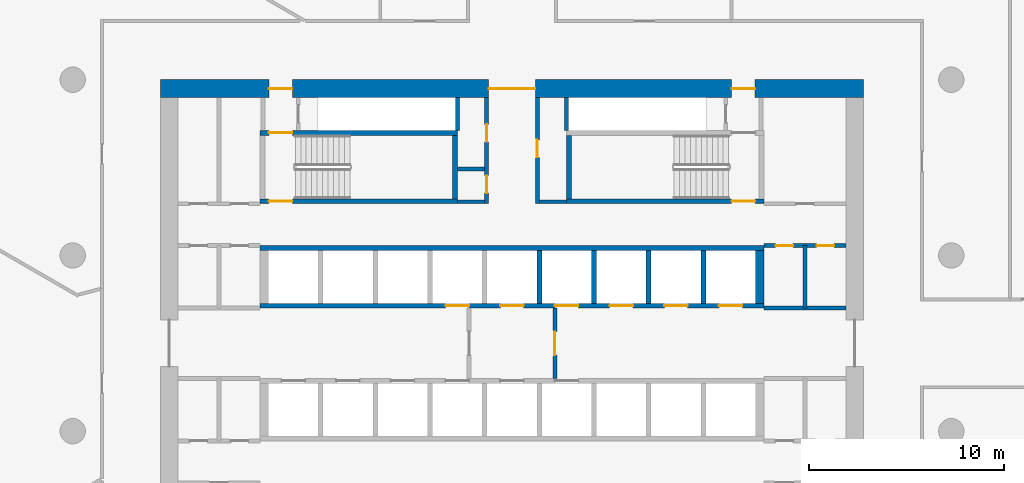
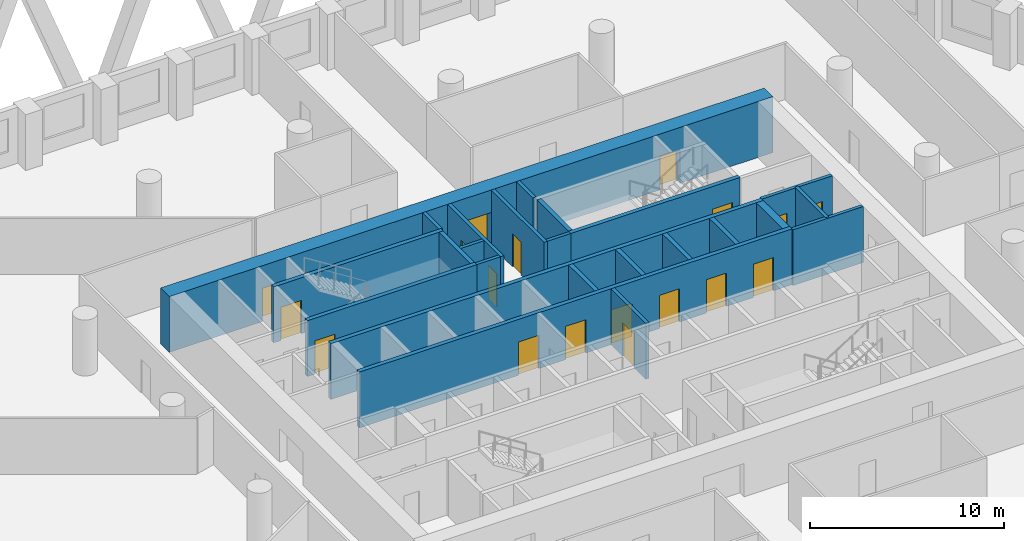
# One storey, part 6 of 18: 24 walls, 18 doors, 18 openings.
"""IFC4 building model written with IfcOpenShell, lengths in metres."""

from ifc_helpers import new_model, si_unit, direction, frame, frame_2d, origin, place, context, subcontext, project, spatial, polyline, rectangle, outline, extrude, material, layer, layer_set, type_object, element, fill, save


model = new_model("IFC4")

# Units and contexts
model_context = context("Model", 3, precision=1e-05, world=origin(), true_north=direction((0.0, 1.0)))
body_context = subcontext(model_context, "Body", "Model", "MODEL_VIEW")
ifc_project = project(units=[si_unit("LENGTHUNIT", "METRE"), si_unit("AREAUNIT", "SQUARE_METRE"), si_unit("VOLUMEUNIT", "CUBIC_METRE"), si_unit("PLANEANGLEUNIT", "RADIAN"), si_unit("MASSUNIT", "GRAM", prefix="KILO")], contexts=[model_context])

# Site, building, storey
site_placement = place(None, origin())
site = spatial("IfcSite", under=ifc_project, at=site_placement, CompositionType="ELEMENT")
building_placement = place(site_placement, origin())
building = spatial("IfcBuilding", under=site, at=building_placement, Name="Dhurran Vertical Campus", CompositionType="ELEMENT")
storey_placement = place(building_placement, frame((0.0, 0.0, 81.300048828125)))
storey = spatial("IfcBuildingStorey", under=building, at=storey_placement, Name="L19", CompositionType="ELEMENT", Elevation=81.300048828125)

# Wall, openings, doors
ifc_material_1 = material(Name="Concrete C60/75", Category="concrete")
ifc_layer_1 = layer(ifc_material_1, 0.89990234375)
ifc_layer_set_1 = layer_set([ifc_layer_1], Name="Concrete C60/75")
wall_type_1 = type_object("IfcWallType", Name="co-CORE-WALL-C0-900", PredefinedType="SHEAR", material=ifc_layer_set_1)
wall_1_placement = place(storey_placement, frame((-18.0, 13.050048828125, 0.0), z_axis=(0.0, 0.0, 1.0), x_axis=(1.0, 0.0, 0.0)))
wall_1 = element("IfcWall", 1, at=wall_1_placement, inside=storey, type_object=wall_type_1, Name="Core wall N L19", PredefinedType="SHEAR", context=body_context, shape_type="SweptSolid", body=[
    extrude(rectangle(XDim=36.0, YDim=0.89990234375, at=frame_2d((18.0, 0.0))), origin(), (0.0, 0.0, 1.0), 3.52490234375),
])
opening_1_placement = place(wall_1_placement, frame((16.800048828125, 0.0, 0.0)))
opening_1 = element("IfcOpeningElement", 2, at=opening_1_placement, cuts=wall_1, Name="Opening CV1", PredefinedType="OPENING", context=body_context, shape_type="SweptSolid", body=[
    extrude(rectangle(XDim=2.39990234375, YDim=2.10009765625, at=frame_2d((1.199951171875, 1.050048828125))), frame((0.0, 0.4599609375, 0.0), z_axis=(0.0, -1.0, 0.0), x_axis=(1.0, 0.0, 0.0)), (0.0, 0.0, 1.0), 0.919921875),
])
opening_2_placement = place(wall_1_placement, frame((5.550048828125, 0.0, 0.0)))
opening_2 = element("IfcOpeningElement", 3, at=opening_2_placement, cuts=wall_1, Name="Opening XD1", PredefinedType="OPENING", context=body_context, shape_type="SweptSolid", body=[
    extrude(rectangle(XDim=1.199951171875, YDim=2.10009765625, at=frame_2d((0.60009765625, 1.050048828125))), frame((0.0, 0.4599609375, 0.0), z_axis=(0.0, -1.0, 0.0), x_axis=(1.0, 0.0, 0.0)), (0.0, 0.0, 1.0), 0.919921875),
])
opening_3_placement = place(wall_1_placement, frame((29.25, 0.0, 0.0)))
opening_3 = element("IfcOpeningElement", 4, at=opening_3_placement, cuts=wall_1, Name="Opening XD2", PredefinedType="OPENING", context=body_context, shape_type="SweptSolid", body=[
    extrude(rectangle(XDim=1.199951171875, YDim=2.10009765625, at=frame_2d((0.60009765625, 1.050048828125))), frame((0.0, 0.4599609375, 0.0), z_axis=(0.0, -1.0, 0.0), x_axis=(1.0, 0.0, 0.0)), (0.0, 0.0, 1.0), 0.919921875),
])
ifc_material_2 = material(Name="Fire-rated glazed door set")
door_type_1 = type_object("IfcDoorType", Name="co-D-LOBBY 2400x2100", OperationType="DOUBLE_DOOR_DOUBLE_SWING", PredefinedType="DOOR", material=ifc_material_2)
door_1_placement = place(opening_1_placement, origin())
door_1 = element("IfcDoor", 5, at=door_1_placement, inside=storey, type_object=door_type_1, Name="Core vestibule door N L19", OperationType="DOUBLE_DOOR_DOUBLE_SWING", OverallHeight=2.10009765625, OverallWidth=2.39990234375, PredefinedType="DOOR", context=body_context, shape_type="SweptSolid", body=[
    extrude(rectangle(XDim=2.39990234375, YDim=2.10009765625, at=frame_2d((1.199951171875, 1.050048828125))), frame((0.0, 0.02490234375, 0.0), z_axis=(0.0, -1.0, 0.0), x_axis=(1.0, 0.0, 0.0)), (0.0, 0.0, 1.0), 0.050048828125),
])
fill(opening_1, door_1)
ifc_material_3 = material(Name="Fire-rated steel door set", Category="steel")
door_type_2 = type_object("IfcDoorType", Name="co-D-STAIR-EXIT 1200x2100", OperationType="SINGLE_SWING_RIGHT", PredefinedType="DOOR", material=ifc_material_3)
door_2_placement = place(opening_2_placement, origin())
door_2 = element("IfcDoor", 6, at=door_2_placement, inside=storey, type_object=door_type_2, Name="Stair ST1 exit door L19", OperationType="SINGLE_SWING_RIGHT", OverallHeight=2.10009765625, OverallWidth=1.199951171875, PredefinedType="DOOR", context=body_context, shape_type="SweptSolid", body=[
    extrude(rectangle(XDim=1.199951171875, YDim=2.10009765625, at=frame_2d((0.60009765625, 1.050048828125))), frame((0.0, 0.02490234375, 0.0), z_axis=(0.0, -1.0, 0.0), x_axis=(1.0, 0.0, 0.0)), (0.0, 0.0, 1.0), 0.050048828125),
])
fill(opening_2, door_2)
door_3_placement = place(opening_3_placement, origin())
door_3 = element("IfcDoor", 7, at=door_3_placement, inside=storey, type_object=door_type_2, Name="Stair ST2 exit door L19", OperationType="SINGLE_SWING_RIGHT", OverallHeight=2.10009765625, OverallWidth=1.199951171875, PredefinedType="DOOR", context=body_context, shape_type="SweptSolid", body=[
    extrude(rectangle(XDim=1.199951171875, YDim=2.10009765625, at=frame_2d((0.60009765625, 1.050048828125))), frame((0.0, 0.02490234375, 0.0), z_axis=(0.0, -1.0, 0.0), x_axis=(1.0, 0.0, 0.0)), (0.0, 0.0, 1.0), 0.050048828125),
])
fill(opening_3, door_3)

# Wall, opening, door
ifc_material_4 = material(Name="Fire-rated masonry blockwork", Category="masonry")
ifc_layer_2 = layer(ifc_material_4, 0.199951171875)
ifc_layer_set_2 = layer_set([ifc_layer_2], Name="Fire-rated masonry blockwork")
wall_type_2 = type_object("IfcWallType", Name="co-FIRE-PARTITION-200", PredefinedType="PARTITIONING", material=ifc_layer_set_2)
wall_2_placement = place(storey_placement, frame((2.199951171875, -1.800048828125, 0.0), z_axis=(0.0, 0.0, 1.0), x_axis=(0.0, 1.0, 0.0)))
wall_2 = element("IfcWall", 8, at=wall_2_placement, inside=storey, type_object=wall_type_2, Name="Firefighting lobby wall E L19", PredefinedType="PARTITIONING", context=body_context, shape_type="SweptSolid", body=[
    extrude(rectangle(XDim=3.60009765625, YDim=0.199951171875, at=frame_2d((1.800048828125, 0.0))), origin(), (0.0, 0.0, 1.0), 3.52490234375),
])
opening_4_placement = place(wall_2_placement, frame((1.199951171875, 0.0, 0.0)))
opening_4 = element("IfcOpeningElement", 9, at=opening_4_placement, cuts=wall_2, Name="Opening FL2", PredefinedType="OPENING", context=body_context, shape_type="SweptSolid", body=[
    extrude(rectangle(XDim=1.199951171875, YDim=2.10009765625, at=frame_2d((0.60009765625, 1.050048828125))), frame((0.0, 0.10986328125, 0.0), z_axis=(0.0, -1.0, 0.0), x_axis=(1.0, 0.0, 0.0)), (0.0, 0.0, 1.0), 0.219970703125),
])
ifc_material_5 = material(Name="Fire-rated steel door set", Category="steel")
door_type_3 = type_object("IfcDoorType", Name="co-D-FFLOBBY 1200x2100", OperationType="SINGLE_SWING_LEFT", PredefinedType="DOOR", material=ifc_material_5)
door_4_placement = place(opening_4_placement, origin())
door_4 = element("IfcDoor", 10, at=door_4_placement, inside=storey, type_object=door_type_3, Name="Firefighting lobby door E L19", OperationType="SINGLE_SWING_LEFT", OverallHeight=2.10009765625, OverallWidth=1.199951171875, PredefinedType="DOOR", context=body_context, shape_type="SweptSolid", body=[
    extrude(rectangle(XDim=1.199951171875, YDim=2.10009765625, at=frame_2d((0.60009765625, 1.050048828125))), frame((0.0, 0.02490234375, 0.0), z_axis=(0.0, -1.0, 0.0), x_axis=(1.0, 0.0, 0.0)), (0.0, 0.0, 1.0), 0.050048828125),
])
fill(opening_4, door_4)

# Walls
for number, where, z_axis, x_axis, name in (
    (11, (-2.800048828125, 7.25, 0.0), (0.0, 0.0, 1.0), (1.0, 0.0, 0.0), "Core partition sl-NW-S L19"),
    (12, (-2.800048828125, 8.925048828125, 0.0), (0.0, 0.0, 1.0), (1.0, 0.0, 0.0), "Core partition sl-NW-cut0 L19"),
    (13, (1.39990234375, 7.25, 0.0), (0.0, 0.0, 1.0), (1.0, 0.0, 0.0), "Core partition sl-NE-S L19"),
):
    element("IfcWall", number, at=place(storey_placement, frame(where, z_axis=z_axis, x_axis=x_axis)), inside=storey, type_object=wall_type_2, Name=name, PredefinedType="PARTITIONING", context=body_context, shape_type="SweptSolid", body=[
        extrude(rectangle(XDim=1.400146484375, YDim=0.199951171875, at=frame_2d((0.7001953125, 0.0))), origin(), (0.0, 0.0, 1.0), 3.52490234375),
    ])

# Wall, openings, doors
wall_3_placement = place(storey_placement, frame((-1.300048828125, 7.14990234375, 0.0), z_axis=(0.0, 0.0, 1.0), x_axis=(0.0, 1.0, 0.0)))
wall_3 = element("IfcWall", 14, at=wall_3_placement, inside=storey, type_object=wall_type_2, Name="Core partition vest-NW L19", PredefinedType="PARTITIONING", context=body_context, shape_type="SweptSolid", body=[
    extrude(rectangle(XDim=5.4501953125, YDim=0.199951171875, at=frame_2d((2.72509765625, 0.0))), origin(), (0.0, 0.0, 1.0), 3.52490234375),
])
opening_5_placement = place(wall_3_placement, frame((0.53759765625, 0.0, 0.0)))
opening_5 = element("IfcOpeningElement", 15, at=opening_5_placement, cuts=wall_3, Name="Opening T05-C5", PredefinedType="OPENING", context=body_context, shape_type="SweptSolid", body=[
    extrude(rectangle(XDim=0.89990234375, YDim=2.10009765625, at=frame_2d((0.449951171875, 1.050048828125))), frame((0.0, 0.10986328125, 0.0), z_axis=(0.0, -1.0, 0.0), x_axis=(1.0, 0.0, 0.0)), (0.0, 0.0, 1.0), 0.219970703125),
])
opening_6_placement = place(wall_3_placement, frame((3.16259765625, 0.0, 0.0)))
opening_6 = element("IfcOpeningElement", 16, at=opening_6_placement, cuts=wall_3, Name="Opening T05-C6", PredefinedType="OPENING", context=body_context, shape_type="SweptSolid", body=[
    extrude(rectangle(XDim=0.89990234375, YDim=2.10009765625, at=frame_2d((0.449951171875, 1.050048828125))), frame((0.0, 0.10986328125, 0.0), z_axis=(0.0, -1.0, 0.0), x_axis=(1.0, 0.0, 0.0)), (0.0, 0.0, 1.0), 0.219970703125),
])
ifc_material_6 = material(Name="Fire-rated timber door set", Category="wood")
door_type_4 = type_object("IfcDoorType", Name="co-D-ROOM 900x2100", OperationType="SINGLE_SWING_LEFT", PredefinedType="DOOR", material=ifc_material_6)
door_5_placement = place(opening_5_placement, origin())
door_5 = element("IfcDoor", 17, at=door_5_placement, inside=storey, type_object=door_type_4, Name="Housekeeping store door L19", OperationType="SINGLE_SWING_LEFT", OverallHeight=2.10009765625, OverallWidth=0.89990234375, PredefinedType="DOOR", context=body_context, shape_type="SweptSolid", body=[
    extrude(rectangle(XDim=0.89990234375, YDim=2.10009765625, at=frame_2d((0.449951171875, 1.050048828125))), frame((0.0, 0.02490234375, 0.0), z_axis=(0.0, -1.0, 0.0), x_axis=(1.0, 0.0, 0.0)), (0.0, 0.0, 1.0), 0.050048828125),
])
fill(opening_5, door_5)
door_6_placement = place(opening_6_placement, origin())
door_6 = element("IfcDoor", 18, at=door_6_placement, inside=storey, type_object=door_type_4, Name="Print room door L19", OperationType="SINGLE_SWING_LEFT", OverallHeight=2.10009765625, OverallWidth=0.89990234375, PredefinedType="DOOR", context=body_context, shape_type="SweptSolid", body=[
    extrude(rectangle(XDim=0.89990234375, YDim=2.10009765625, at=frame_2d((0.449951171875, 1.050048828125))), frame((0.0, 0.02490234375, 0.0), z_axis=(0.0, -1.0, 0.0), x_axis=(1.0, 0.0, 0.0)), (0.0, 0.0, 1.0), 0.050048828125),
])
fill(opening_6, door_6)

# Wall, opening, door
wall_4_placement = place(storey_placement, frame((1.300048828125, 7.14990234375, 0.0), z_axis=(0.0, 0.0, 1.0), x_axis=(0.0, 1.0, 0.0)))
wall_4 = element("IfcWall", 19, at=wall_4_placement, inside=storey, type_object=wall_type_2, Name="Core partition vest-NE L19", PredefinedType="PARTITIONING", context=body_context, shape_type="SweptSolid", body=[
    extrude(rectangle(XDim=5.4501953125, YDim=0.199951171875, at=frame_2d((2.72509765625, 0.0))), origin(), (0.0, 0.0, 1.0), 3.52490234375),
])
opening_7_placement = place(wall_4_placement, frame((2.375, 0.0, 0.0)))
opening_7 = element("IfcOpeningElement", 20, at=opening_7_placement, cuts=wall_4, Name="Opening T05-C7", PredefinedType="OPENING", context=body_context, shape_type="SweptSolid", body=[
    extrude(rectangle(XDim=0.89990234375, YDim=2.10009765625, at=frame_2d((0.449951171875, 1.050048828125))), frame((0.0, 0.10986328125, 0.0), z_axis=(0.0, -1.0, 0.0), x_axis=(1.0, 0.0, 0.0)), (0.0, 0.0, 1.0), 0.219970703125),
])
door_7_placement = place(opening_7_placement, origin())
door_7 = element("IfcDoor", 21, at=door_7_placement, inside=storey, type_object=door_type_4, Name="Cleaner's store door L19", OperationType="SINGLE_SWING_LEFT", OverallHeight=2.10009765625, OverallWidth=0.89990234375, PredefinedType="DOOR", context=body_context, shape_type="SweptSolid", body=[
    extrude(rectangle(XDim=0.89990234375, YDim=2.10009765625, at=frame_2d((0.449951171875, 1.050048828125))), frame((0.0, 0.02490234375, 0.0), z_axis=(0.0, -1.0, 0.0), x_axis=(1.0, 0.0, 0.0)), (0.0, 0.0, 1.0), 0.050048828125),
])
fill(opening_7, door_7)

# Wall
wall_5_placement = place(storey_placement, frame((15.0, 1.800048828125, 0.0), z_axis=(0.0, 0.0, 1.0), x_axis=(0.0, 1.0, 0.0)))
element("IfcWall", 22, at=wall_5_placement, inside=storey, type_object=wall_type_2, Name="Core partition es-NE-cut0 L19", PredefinedType="PARTITIONING", context=body_context, shape_type="SweptSolid", body=[
    extrude(rectangle(XDim=3.199951171875, YDim=0.199951171875, at=frame_2d((1.60009765625, 0.0))), origin(), (0.0, 0.0, 1.0), 3.52490234375),
])

# Wall, openings, doors
wall_6_placement = place(storey_placement, frame((12.89990234375, 5.0, 0.0), z_axis=(0.0, 0.0, 1.0), x_axis=(1.0, 0.0, 0.0)))
wall_6 = element("IfcWall", 23, at=wall_6_placement, inside=storey, type_object=wall_type_2, Name="Core partition es-NE-w L19", PredefinedType="PARTITIONING", context=body_context, shape_type="SweptSolid", body=[
    extrude(rectangle(XDim=4.2001953125, YDim=0.199951171875, at=frame_2d((2.10009765625, 0.0))), origin(), (0.0, 0.0, 1.0), 3.52490234375),
])
opening_8_placement = place(wall_6_placement, frame((0.60009765625, 0.0, 0.0)))
opening_8 = element("IfcOpeningElement", 24, at=opening_8_placement, cuts=wall_6, Name="Opening T05-C17", PredefinedType="OPENING", context=body_context, shape_type="SweptSolid", body=[
    extrude(rectangle(XDim=0.89990234375, YDim=2.10009765625, at=frame_2d((0.449951171875, 1.050048828125))), frame((0.0, 0.10986328125, 0.0), z_axis=(0.0, -1.0, 0.0), x_axis=(1.0, 0.0, 0.0)), (0.0, 0.0, 1.0), 0.219970703125),
])
opening_9_placement = place(wall_6_placement, frame((2.699951171875, 0.0, 0.0)))
opening_9 = element("IfcOpeningElement", 25, at=opening_9_placement, cuts=wall_6, Name="Opening T05-C18", PredefinedType="OPENING", context=body_context, shape_type="SweptSolid", body=[
    extrude(rectangle(XDim=0.89990234375, YDim=2.10009765625, at=frame_2d((0.449951171875, 1.050048828125))), frame((0.0, 0.10986328125, 0.0), z_axis=(0.0, -1.0, 0.0), x_axis=(1.0, 0.0, 0.0)), (0.0, 0.0, 1.0), 0.219970703125),
])
door_8_placement = place(opening_8_placement, origin())
door_8 = element("IfcDoor", 26, at=door_8_placement, inside=storey, type_object=door_type_4, Name="Server room door L19", OperationType="SINGLE_SWING_LEFT", OverallHeight=2.10009765625, OverallWidth=0.89990234375, PredefinedType="DOOR", context=body_context, shape_type="SweptSolid", body=[
    extrude(rectangle(XDim=0.89990234375, YDim=2.10009765625, at=frame_2d((0.449951171875, 1.050048828125))), frame((0.0, 0.02490234375, 0.0), z_axis=(0.0, -1.0, 0.0), x_axis=(1.0, 0.0, 0.0)), (0.0, 0.0, 1.0), 0.050048828125),
])
fill(opening_8, door_8)
door_9_placement = place(opening_9_placement, origin())
door_9 = element("IfcDoor", 27, at=door_9_placement, inside=storey, type_object=door_type_4, Name="Housekeeping store door L19", OperationType="SINGLE_SWING_LEFT", OverallHeight=2.10009765625, OverallWidth=0.89990234375, PredefinedType="DOOR", context=body_context, shape_type="SweptSolid", body=[
    extrude(rectangle(XDim=0.89990234375, YDim=2.10009765625, at=frame_2d((0.449951171875, 1.050048828125))), frame((0.0, 0.02490234375, 0.0), z_axis=(0.0, -1.0, 0.0), x_axis=(1.0, 0.0, 0.0)), (0.0, 0.0, 1.0), 0.050048828125),
])
fill(opening_9, door_9)

# Walls
wall_7_placement = place(storey_placement, frame((12.89990234375, 1.800048828125, 0.0), z_axis=(0.0, 0.0, 1.0), x_axis=(1.0, 0.0, 0.0)))
element("IfcWall", 28, at=wall_7_placement, inside=storey, type_object=wall_type_2, Name="Core partition es-NE-l L19", PredefinedType="PARTITIONING", context=body_context, shape_type="SweptSolid", body=[
    extrude(rectangle(XDim=4.2001953125, YDim=0.199951171875, at=frame_2d((2.10009765625, 0.0))), origin(), (0.0, 0.0, 1.0), 3.52490234375),
])
for number, where, z_axis, x_axis, name in (
    (29, (-2.800048828125, 10.90087890625, 0.0), (0.0, 0.0, 1.0), (0.0, 1.0, 0.0), "Riser enclosure wall L19"),
    (30, (2.800048828125, 12.59912109375, 0.0), (0.0, 0.0, 1.0), (0.0, -1.0, 0.0), "Riser enclosure wall L19"),
):
    element("IfcWall", number, at=place(storey_placement, frame(where, z_axis=z_axis, x_axis=x_axis)), inside=storey, type_object=wall_type_2, Name=name, PredefinedType="PARTITIONING", context=body_context, shape_type="SweptSolid", body=[
        extrude(rectangle(XDim=1.6982421875, YDim=0.199951171875, at=frame_2d((0.84912109375, 0.0))), origin(), (0.0, 0.0, 1.0), 3.52490234375),
    ])

# Wall, openings, doors
ifc_material_7 = material(Name="Concrete C50/60", Category="concrete")
ifc_layer_3 = layer(ifc_material_7, 0.25)
ifc_layer_set_3 = layer_set([ifc_layer_3], Name="Concrete C50/60")
wall_type_3 = type_object("IfcWallType", Name="co-SHAFT-FRONT-250", PredefinedType="SHEAR", material=ifc_layer_set_3)
wall_8_placement = place(storey_placement, frame((-12.89990234375, 1.925048828125, 0.0), z_axis=(0.0, 0.0, 1.0), x_axis=(1.0, 0.0, 0.0)))
wall_8 = element("IfcWall", 31, at=wall_8_placement, inside=storey, type_object=wall_type_3, Name="Lift landing wall N L19", PredefinedType="SHEAR", context=body_context, shape_type="SweptSolid", body=[
    extrude(rectangle(XDim=25.7998046875, YDim=0.25, at=frame_2d((12.89990234375, 0.0))), origin(), (0.0, 0.0, 1.0), 3.52490234375),
])
opening_10_placement = place(wall_8_placement, frame((9.5, 0.0, 0.0)))
opening_10 = element("IfcOpeningElement", 32, at=opening_10_placement, cuts=wall_8, Name="Opening LD", PredefinedType="OPENING", context=body_context, shape_type="SweptSolid", body=[
    extrude(rectangle(XDim=1.199951171875, YDim=2.10009765625, at=frame_2d((0.60009765625, 1.050048828125))), frame((0.0, 0.135009765625, 0.0), z_axis=(0.0, -1.0, 0.0), x_axis=(1.0, 0.0, 0.0)), (0.0, 0.0, 1.0), 0.27001953125),
])
opening_11_placement = place(wall_8_placement, frame((12.300048828125, 0.0, 0.0)))
opening_11 = element("IfcOpeningElement", 33, at=opening_11_placement, cuts=wall_8, Name="Opening LD", PredefinedType="OPENING", context=body_context, shape_type="SweptSolid", body=[
    extrude(rectangle(XDim=1.199951171875, YDim=2.10009765625, at=frame_2d((0.60009765625, 1.050048828125))), frame((0.0, 0.135009765625, 0.0), z_axis=(0.0, -1.0, 0.0), x_axis=(1.0, 0.0, 0.0)), (0.0, 0.0, 1.0), 0.27001953125),
])
opening_12_placement = place(wall_8_placement, frame((15.10009765625, 0.0, 0.0)))
opening_12 = element("IfcOpeningElement", 34, at=opening_12_placement, cuts=wall_8, Name="Opening LD", PredefinedType="OPENING", context=body_context, shape_type="SweptSolid", body=[
    extrude(rectangle(XDim=1.199951171875, YDim=2.10009765625, at=frame_2d((0.60009765625, 1.050048828125))), frame((0.0, 0.135009765625, 0.0), z_axis=(0.0, -1.0, 0.0), x_axis=(1.0, 0.0, 0.0)), (0.0, 0.0, 1.0), 0.27001953125),
])
opening_13_placement = place(wall_8_placement, frame((17.89990234375, 0.0, 0.0)))
opening_13 = element("IfcOpeningElement", 35, at=opening_13_placement, cuts=wall_8, Name="Opening LD", PredefinedType="OPENING", context=body_context, shape_type="SweptSolid", body=[
    extrude(rectangle(XDim=1.199951171875, YDim=2.10009765625, at=frame_2d((0.60009765625, 1.050048828125))), frame((0.0, 0.135009765625, 0.0), z_axis=(0.0, -1.0, 0.0), x_axis=(1.0, 0.0, 0.0)), (0.0, 0.0, 1.0), 0.27001953125),
])
opening_14_placement = place(wall_8_placement, frame((20.699951171875, 0.0, 0.0)))
opening_14 = element("IfcOpeningElement", 36, at=opening_14_placement, cuts=wall_8, Name="Opening LD", PredefinedType="OPENING", context=body_context, shape_type="SweptSolid", body=[
    extrude(rectangle(XDim=1.199951171875, YDim=2.10009765625, at=frame_2d((0.60009765625, 1.050048828125))), frame((0.0, 0.135009765625, 0.0), z_axis=(0.0, -1.0, 0.0), x_axis=(1.0, 0.0, 0.0)), (0.0, 0.0, 1.0), 0.27001953125),
])
opening_15_placement = place(wall_8_placement, frame((23.5, 0.0, 0.0)))
opening_15 = element("IfcOpeningElement", 37, at=opening_15_placement, cuts=wall_8, Name="Opening LD", PredefinedType="OPENING", context=body_context, shape_type="SweptSolid", body=[
    extrude(rectangle(XDim=1.199951171875, YDim=2.10009765625, at=frame_2d((0.60009765625, 1.050048828125))), frame((0.0, 0.135009765625, 0.0), z_axis=(0.0, -1.0, 0.0), x_axis=(1.0, 0.0, 0.0)), (0.0, 0.0, 1.0), 0.27001953125),
])
ifc_material_8 = material(Name="Stainless steel landing door", Category="steel")
door_type_5 = type_object("IfcDoorType", Name="co-D-LANDING 1200x2100", OperationType="DOUBLE_DOOR_SLIDING", PredefinedType="DOOR", material=ifc_material_8)
door_10_placement = place(opening_10_placement, origin())
door_10 = element("IfcDoor", 38, at=door_10_placement, inside=storey, type_object=door_type_5, Name="Landing door LR1 L19", OperationType="DOUBLE_DOOR_SLIDING", OverallHeight=2.10009765625, OverallWidth=1.199951171875, PredefinedType="DOOR", context=body_context, shape_type="SweptSolid", body=[
    extrude(rectangle(XDim=1.199951171875, YDim=2.10009765625, at=frame_2d((0.60009765625, 1.050048828125))), frame((0.0, 0.02490234375, 0.0), z_axis=(0.0, -1.0, 0.0), x_axis=(1.0, 0.0, 0.0)), (0.0, 0.0, 1.0), 0.050048828125),
])
fill(opening_10, door_10)
door_11_placement = place(opening_11_placement, origin())
door_11 = element("IfcDoor", 39, at=door_11_placement, inside=storey, type_object=door_type_5, Name="Landing door FF1 L19", OperationType="DOUBLE_DOOR_SLIDING", OverallHeight=2.10009765625, OverallWidth=1.199951171875, PredefinedType="DOOR", context=body_context, shape_type="SweptSolid", body=[
    extrude(rectangle(XDim=1.199951171875, YDim=2.10009765625, at=frame_2d((0.60009765625, 1.050048828125))), frame((0.0, 0.02490234375, 0.0), z_axis=(0.0, -1.0, 0.0), x_axis=(1.0, 0.0, 0.0)), (0.0, 0.0, 1.0), 0.050048828125),
])
fill(opening_11, door_11)
door_12_placement = place(opening_12_placement, origin())
door_12 = element("IfcDoor", 40, at=door_12_placement, inside=storey, type_object=door_type_5, Name="Landing door LR2 L19", OperationType="DOUBLE_DOOR_SLIDING", OverallHeight=2.10009765625, OverallWidth=1.199951171875, PredefinedType="DOOR", context=body_context, shape_type="SweptSolid", body=[
    extrude(rectangle(XDim=1.199951171875, YDim=2.10009765625, at=frame_2d((0.60009765625, 1.050048828125))), frame((0.0, 0.02490234375, 0.0), z_axis=(0.0, -1.0, 0.0), x_axis=(1.0, 0.0, 0.0)), (0.0, 0.0, 1.0), 0.050048828125),
])
fill(opening_12, door_12)
door_13_placement = place(opening_13_placement, origin())
door_13 = element("IfcDoor", 41, at=door_13_placement, inside=storey, type_object=door_type_5, Name="Landing door LR3 L19", OperationType="DOUBLE_DOOR_SLIDING", OverallHeight=2.10009765625, OverallWidth=1.199951171875, PredefinedType="DOOR", context=body_context, shape_type="SweptSolid", body=[
    extrude(rectangle(XDim=1.199951171875, YDim=2.10009765625, at=frame_2d((0.60009765625, 1.050048828125))), frame((0.0, 0.02490234375, 0.0), z_axis=(0.0, -1.0, 0.0), x_axis=(1.0, 0.0, 0.0)), (0.0, 0.0, 1.0), 0.050048828125),
])
fill(opening_13, door_13)
door_14_placement = place(opening_14_placement, origin())
door_14 = element("IfcDoor", 42, at=door_14_placement, inside=storey, type_object=door_type_5, Name="Landing door LR4 L19", OperationType="DOUBLE_DOOR_SLIDING", OverallHeight=2.10009765625, OverallWidth=1.199951171875, PredefinedType="DOOR", context=body_context, shape_type="SweptSolid", body=[
    extrude(rectangle(XDim=1.199951171875, YDim=2.10009765625, at=frame_2d((0.60009765625, 1.050048828125))), frame((0.0, 0.02490234375, 0.0), z_axis=(0.0, -1.0, 0.0), x_axis=(1.0, 0.0, 0.0)), (0.0, 0.0, 1.0), 0.050048828125),
])
fill(opening_14, door_14)
door_15_placement = place(opening_15_placement, origin())
door_15 = element("IfcDoor", 43, at=door_15_placement, inside=storey, type_object=door_type_5, Name="Landing door SV2 L19", OperationType="DOUBLE_DOOR_SLIDING", OverallHeight=2.10009765625, OverallWidth=1.199951171875, PredefinedType="DOOR", context=body_context, shape_type="SweptSolid", body=[
    extrude(rectangle(XDim=1.199951171875, YDim=2.10009765625, at=frame_2d((0.60009765625, 1.050048828125))), frame((0.0, 0.02490234375, 0.0), z_axis=(0.0, -1.0, 0.0), x_axis=(1.0, 0.0, 0.0)), (0.0, 0.0, 1.0), 0.050048828125),
])
fill(opening_15, door_15)

# Walls
ifc_material_9 = material(Name="Concrete C50/60", Category="concrete")
ifc_layer_4 = layer(ifc_material_9, 0.25)
ifc_layer_set_4 = layer_set([ifc_layer_4], Name="Concrete C50/60")
wall_type_4 = type_object("IfcWallType", Name="co-SHAFT-MASS-250", PredefinedType="SHEAR", material=ifc_layer_set_4)
wall_9_placement = place(storey_placement, origin())
element("IfcWall", 44, at=wall_9_placement, inside=storey, type_object=wall_type_4, Name="Lift shaft wall N L19 1", PredefinedType="SHEAR", context=body_context, shape_type="SweptSolid", body=[
    extrude(outline(polyline([(-12.89990234375, 4.75), (12.89990234375, 4.75), (12.89990234375, 5.0), (-12.89990234375, 5.0), (-12.89990234375, 4.75)])), origin(), (0.0, 0.0, 1.0), 3.52490234375),
])
wall_10_placement = place(storey_placement, origin())
element("IfcWall", 45, at=wall_10_placement, inside=storey, type_object=wall_type_4, Name="Lift shaft wall N L19 7", PredefinedType="SHEAR", context=body_context, shape_type="SweptSolid", body=[
    extrude(outline(polyline([(1.27490234375, 2.050048828125), (1.52490234375, 2.050048828125), (1.52490234375, 4.75), (1.27490234375, 4.75), (1.27490234375, 2.050048828125)])), origin(), (0.0, 0.0, 1.0), 3.52490234375),
])
wall_11_placement = place(storey_placement, origin())
element("IfcWall", 46, at=wall_11_placement, inside=storey, type_object=wall_type_4, Name="Lift shaft wall N L19 8", PredefinedType="SHEAR", context=body_context, shape_type="SweptSolid", body=[
    extrude(outline(polyline([(4.074951171875, 2.050048828125), (4.324951171875, 2.050048828125), (4.324951171875, 4.75), (4.074951171875, 4.75), (4.074951171875, 2.050048828125)])), origin(), (0.0, 0.0, 1.0), 3.52490234375),
])
wall_12_placement = place(storey_placement, origin())
element("IfcWall", 47, at=wall_12_placement, inside=storey, type_object=wall_type_4, Name="Lift shaft wall N L19 9", PredefinedType="SHEAR", context=body_context, shape_type="SweptSolid", body=[
    extrude(outline(polyline([(6.875, 2.050048828125), (7.125, 2.050048828125), (7.125, 4.75), (6.875, 4.75), (6.875, 2.050048828125)])), origin(), (0.0, 0.0, 1.0), 3.52490234375),
])
wall_13_placement = place(storey_placement, origin())
element("IfcWall", 48, at=wall_13_placement, inside=storey, type_object=wall_type_4, Name="Lift shaft wall N L19 10", PredefinedType="SHEAR", context=body_context, shape_type="SweptSolid", body=[
    extrude(outline(polyline([(9.675048828125, 2.050048828125), (9.925048828125, 2.050048828125), (9.925048828125, 4.75), (9.675048828125, 4.75), (9.675048828125, 2.050048828125)])), origin(), (0.0, 0.0, 1.0), 3.52490234375),
])
wall_14_placement = place(storey_placement, origin())
element("IfcWall", 49, at=wall_14_placement, inside=storey, type_object=wall_type_4, Name="Lift shaft wall N L19 11", PredefinedType="SHEAR", context=body_context, shape_type="SweptSolid", body=[
    extrude(outline(polyline([(12.47509765625, 2.050048828125), (12.89990234375, 2.050048828125), (12.89990234375, 4.75), (12.47509765625, 4.75), (12.47509765625, 2.050048828125)])), origin(), (0.0, 0.0, 1.0), 3.52490234375),
])

# Wall, opening, door
ifc_material_10 = material(Name="Concrete C40/50", Category="concrete")
ifc_layer_5 = layer(ifc_material_10, 0.25)
ifc_layer_set_5 = layer_set([ifc_layer_5], Name="Concrete C40/50")
wall_type_5 = type_object("IfcWallType", Name="co-STAIR-WALL-250", PredefinedType="SHEAR", material=ifc_layer_set_5)
wall_15_placement = place(storey_placement, frame((-12.89990234375, 7.27490234375, 0.0), z_axis=(0.0, 0.0, 1.0), x_axis=(1.0, 0.0, 0.0)))
wall_15 = element("IfcWall", 50, at=wall_15_placement, inside=storey, type_object=wall_type_5, Name="Stair ST1 enclosure wall L19", PredefinedType="SHEAR", context=body_context, shape_type="SweptSolid", body=[
    extrude(rectangle(XDim=10.099853515625, YDim=0.25, at=frame_2d((5.0498046875, 0.0))), origin(), (0.0, 0.0, 1.0), 3.52490234375),
])
opening_16_placement = place(wall_15_placement, frame((0.449951171875, 0.0, 0.0)))
opening_16 = element("IfcOpeningElement", 51, at=opening_16_placement, cuts=wall_15, Name="Opening SD1", PredefinedType="OPENING", context=body_context, shape_type="SweptSolid", body=[
    extrude(rectangle(XDim=1.199951171875, YDim=2.10009765625, at=frame_2d((0.60009765625, 1.050048828125))), frame((0.0, 0.135009765625, 0.0), z_axis=(0.0, -1.0, 0.0), x_axis=(1.0, 0.0, 0.0)), (0.0, 0.0, 1.0), 0.27001953125),
])
ifc_material_11 = material(Name="Fire-rated steel door set", Category="steel")
door_type_6 = type_object("IfcDoorType", Name="co-D-STAIR 1200x2100", OperationType="SINGLE_SWING_LEFT", PredefinedType="DOOR", material=ifc_material_11)
door_16_placement = place(opening_16_placement, origin())
door_16 = element("IfcDoor", 52, at=door_16_placement, inside=storey, type_object=door_type_6, Name="Stair ST1 door L19", OperationType="SINGLE_SWING_LEFT", OverallHeight=2.10009765625, OverallWidth=1.199951171875, PredefinedType="DOOR", context=body_context, shape_type="SweptSolid", body=[
    extrude(rectangle(XDim=1.199951171875, YDim=2.10009765625, at=frame_2d((0.60009765625, 1.050048828125))), frame((0.0, 0.02490234375, 0.0), z_axis=(0.0, -1.0, 0.0), x_axis=(1.0, 0.0, 0.0)), (0.0, 0.0, 1.0), 0.050048828125),
])
fill(opening_16, door_16)

wall_16_placement = place(storey_placement, frame((-12.89990234375, 10.77490234375, 0.0), z_axis=(0.0, 0.0, 1.0), x_axis=(1.0, 0.0, 0.0)))
wall_16 = element("IfcWall", 53, at=wall_16_placement, inside=storey, type_object=wall_type_5, Name="Stair ST1 enclosure wall L19", PredefinedType="SHEAR", context=body_context, shape_type="SweptSolid", body=[
    extrude(rectangle(XDim=10.099853515625, YDim=0.25, at=frame_2d((5.0498046875, 0.0))), origin(), (0.0, 0.0, 1.0), 3.52490234375),
])
opening_17_placement = place(wall_16_placement, frame((0.449951171875, 0.0, 0.0)))
opening_17 = element("IfcOpeningElement", 54, at=opening_17_placement, cuts=wall_16, Name="Opening XS1", PredefinedType="OPENING", context=body_context, shape_type="SweptSolid", body=[
    extrude(rectangle(XDim=1.199951171875, YDim=2.10009765625, at=frame_2d((0.60009765625, 1.050048828125))), frame((0.0, 0.135009765625, 0.0), z_axis=(0.0, -1.0, 0.0), x_axis=(1.0, 0.0, 0.0)), (0.0, 0.0, 1.0), 0.27001953125),
])
door_17_placement = place(opening_17_placement, origin())
door_17 = element("IfcDoor", 55, at=door_17_placement, inside=storey, type_object=door_type_2, Name="Stair ST1 discharge door L19", OperationType="SINGLE_SWING_RIGHT", OverallHeight=2.10009765625, OverallWidth=1.199951171875, PredefinedType="DOOR", context=body_context, shape_type="SweptSolid", body=[
    extrude(rectangle(XDim=1.199951171875, YDim=2.10009765625, at=frame_2d((0.60009765625, 1.050048828125))), frame((0.0, 0.02490234375, 0.0), z_axis=(0.0, -1.0, 0.0), x_axis=(1.0, 0.0, 0.0)), (0.0, 0.0, 1.0), 0.050048828125),
])
fill(opening_17, door_17)

# Wall
wall_17_placement = place(storey_placement, frame((-2.925048828125, 7.39990234375, 0.0), z_axis=(0.0, 0.0, 1.0), x_axis=(0.0, 1.0, 0.0)))
element("IfcWall", 56, at=wall_17_placement, inside=storey, type_object=wall_type_5, Name="Stair ST1 enclosure wall L19", PredefinedType="SHEAR", context=body_context, shape_type="SweptSolid", body=[
    extrude(rectangle(XDim=3.25, YDim=0.25, at=frame_2d((1.625, 0.0))), origin(), (0.0, 0.0, 1.0), 3.52490234375),
])

# Wall, opening, door
wall_18_placement = place(storey_placement, frame((2.800048828125, 7.27490234375, 0.0), z_axis=(0.0, 0.0, 1.0), x_axis=(1.0, 0.0, 0.0)))
wall_18 = element("IfcWall", 57, at=wall_18_placement, inside=storey, type_object=wall_type_5, Name="Stair ST2 enclosure wall L19", PredefinedType="SHEAR", context=body_context, shape_type="SweptSolid", body=[
    extrude(rectangle(XDim=10.099853515625, YDim=0.25, at=frame_2d((5.0498046875, 0.0))), origin(), (0.0, 0.0, 1.0), 3.52490234375),
])
opening_18_placement = place(wall_18_placement, frame((8.449951171875, 0.0, 0.0)))
opening_18 = element("IfcOpeningElement", 58, at=opening_18_placement, cuts=wall_18, Name="Opening SD2", PredefinedType="OPENING", context=body_context, shape_type="SweptSolid", body=[
    extrude(rectangle(XDim=1.199951171875, YDim=2.10009765625, at=frame_2d((0.60009765625, 1.050048828125))), frame((0.0, 0.135009765625, 0.0), z_axis=(0.0, -1.0, 0.0), x_axis=(1.0, 0.0, 0.0)), (0.0, 0.0, 1.0), 0.27001953125),
])
door_18_placement = place(opening_18_placement, origin())
door_18 = element("IfcDoor", 59, at=door_18_placement, inside=storey, type_object=door_type_6, Name="Stair ST2 door L19", OperationType="SINGLE_SWING_LEFT", OverallHeight=2.10009765625, OverallWidth=1.199951171875, PredefinedType="DOOR", context=body_context, shape_type="SweptSolid", body=[
    extrude(rectangle(XDim=1.199951171875, YDim=2.10009765625, at=frame_2d((0.60009765625, 1.050048828125))), frame((0.0, 0.02490234375, 0.0), z_axis=(0.0, -1.0, 0.0), x_axis=(1.0, 0.0, 0.0)), (0.0, 0.0, 1.0), 0.050048828125),
])
fill(opening_18, door_18)

# Wall
wall_19_placement = place(storey_placement, frame((2.925048828125, 7.39990234375, 0.0), z_axis=(0.0, 0.0, 1.0), x_axis=(0.0, 1.0, 0.0)))
element("IfcWall", 60, at=wall_19_placement, inside=storey, type_object=wall_type_5, Name="Stair ST2 enclosure wall L19", PredefinedType="SHEAR", context=body_context, shape_type="SweptSolid", body=[
    extrude(rectangle(XDim=3.25, YDim=0.25, at=frame_2d((1.625, 0.0))), origin(), (0.0, 0.0, 1.0), 3.52490234375),
])

save(model, "model.ifc")
